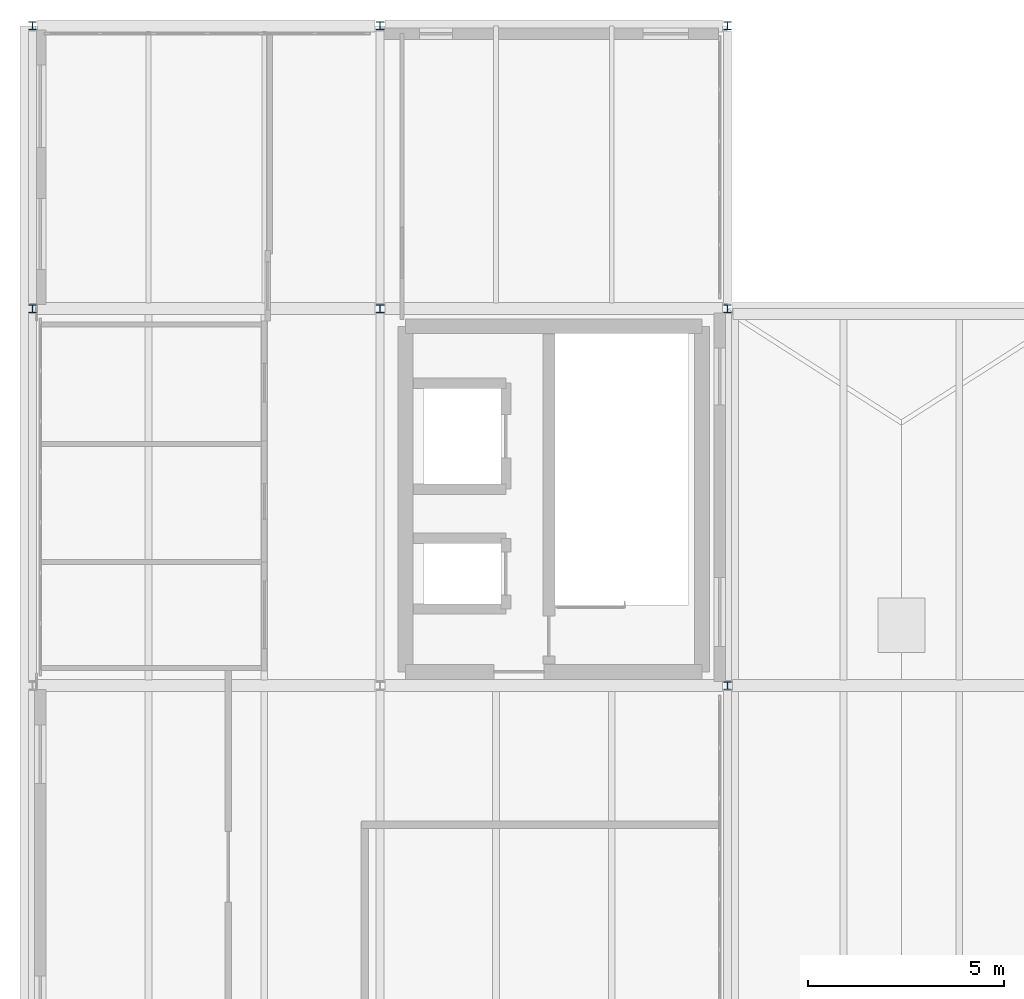
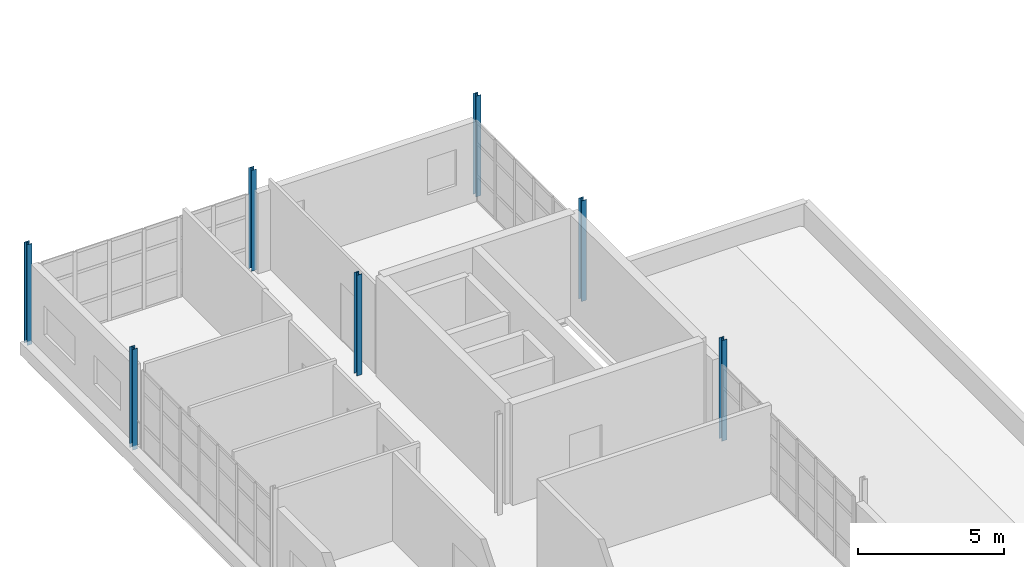
# One storey, part 2 of 16: 7 columns.
"""IFC4 building model written with IfcOpenShell, lengths in metres."""

from ifc_helpers import new_model, si_unit, direction, frame, origin, origin_2d, place, context, subcontext, project, spatial, i_section, extrude, material, material_profile, profile_set, type_object, element, save


model = new_model("IFC4")

# Units and contexts
model_context = context("Model", 3, precision=1e-05, world=origin(), true_north=direction((0.0, 1.0)))
body_context = subcontext(model_context, "Body", "Model", "MODEL_VIEW")
ifc_project = project(units=[si_unit("LENGTHUNIT", "METRE"), si_unit("AREAUNIT", "SQUARE_METRE"), si_unit("VOLUMEUNIT", "CUBIC_METRE"), si_unit("PLANEANGLEUNIT", "RADIAN"), si_unit("MASSUNIT", "GRAM", prefix="KILO")], contexts=[model_context])

# Site, building, storey
site_placement = place(None, origin())
site = spatial("IfcSite", under=ifc_project, at=site_placement, CompositionType="ELEMENT")
building_placement = place(site_placement, origin())
building = spatial("IfcBuilding", under=site, at=building_placement, Name="Yeouljin Market Hall", CompositionType="ELEMENT")
storey_placement = place(building_placement, frame((0.0, 0.0, 19.199951171875)))
storey = spatial("IfcBuildingStorey", under=building, at=storey_placement, Name="L04", CompositionType="ELEMENT", Elevation=19.199951171875)

# Columns
ifc_material = material(Name="Steel SM355", Category="steel")
ifc_material_profile = material_profile(ifc_material, i_section(OverallWidth=0.199951171875, OverallDepth=0.199951171875, WebThickness=0.008056640625, FlangeThickness=0.011962890625, FilletRadius=0.012939453125, at=origin_2d()), Name="H-200x200x8x12")
ifc_profile_set = profile_set([ifc_material_profile], Name="Steel SM355")
column_type = type_object("IfcColumnType", Name="Col_H-200x200x8x12", PredefinedType="COLUMN", material=ifc_profile_set)
for number, where, z_axis, x_axis, name in (
    (1, (0.0, 28.800048828125, 0.0), (0.0, 0.0, 1.0), (1.0, 0.0, 0.0), "Column G-00-03 (L04)"),
    (2, (0.0, 36.0, 0.0), (0.0, 0.0, 1.0), (1.0, 0.0, 0.0), "Column G-00-04 (L04)"),
    (3, (8.85009765625, 28.800048828125, 0.0), (0.0, 0.0, 1.0), (1.0, 0.0, 0.0), "Column G-01-03 (L04)"),
    (4, (8.85009765625, 36.0, 0.0), (0.0, 0.0, 1.0), (1.0, 0.0, 0.0), "Column G-01-04 (L04)"),
    (5, (17.699951171875, 19.199951171875, 0.0), (0.0, 0.0, 1.0), (1.0, 0.0, 0.0), "Column G-02-02 (L04)"),
    (6, (17.699951171875, 28.800048828125, 0.0), (0.0, 0.0, 1.0), (1.0, 0.0, 0.0), "Column G-02-03 (L04)"),
    (7, (17.699951171875, 36.0, 0.0), (0.0, 0.0, 1.0), (1.0, 0.0, 0.0), "Column G-02-04 (L04)"),
):
    element("IfcColumn", number, at=place(storey_placement, frame(where, z_axis=z_axis, x_axis=x_axis)), inside=storey, type_object=column_type, Name=name, PredefinedType="COLUMN", context=body_context, shape_type="SweptSolid", body=[
        extrude(i_section(OverallWidth=0.199951171875, OverallDepth=0.199951171875, WebThickness=0.008056640625, FlangeThickness=0.011962890625, FilletRadius=0.012939453125, at=origin_2d()), origin(), (0.0, 0.0, 1.0), 4.199951171875),
    ])

save(model, "model.ifc")
